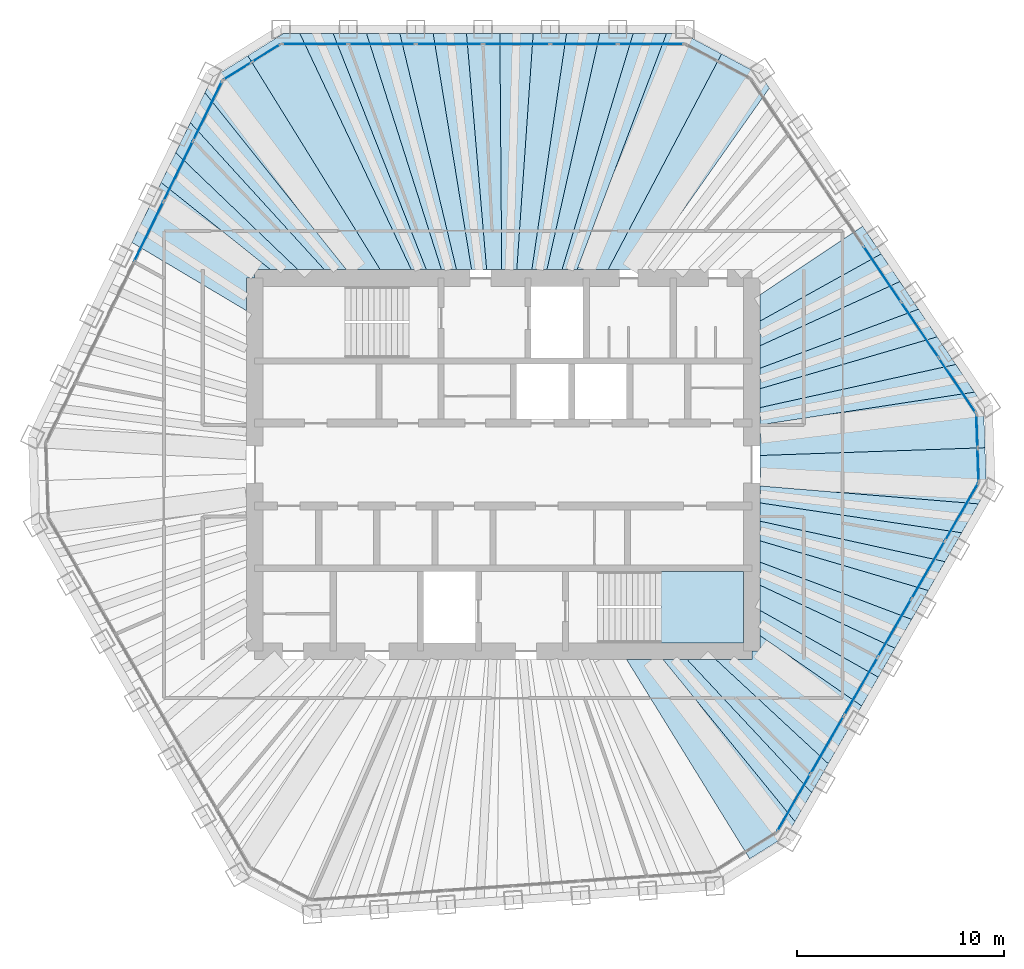
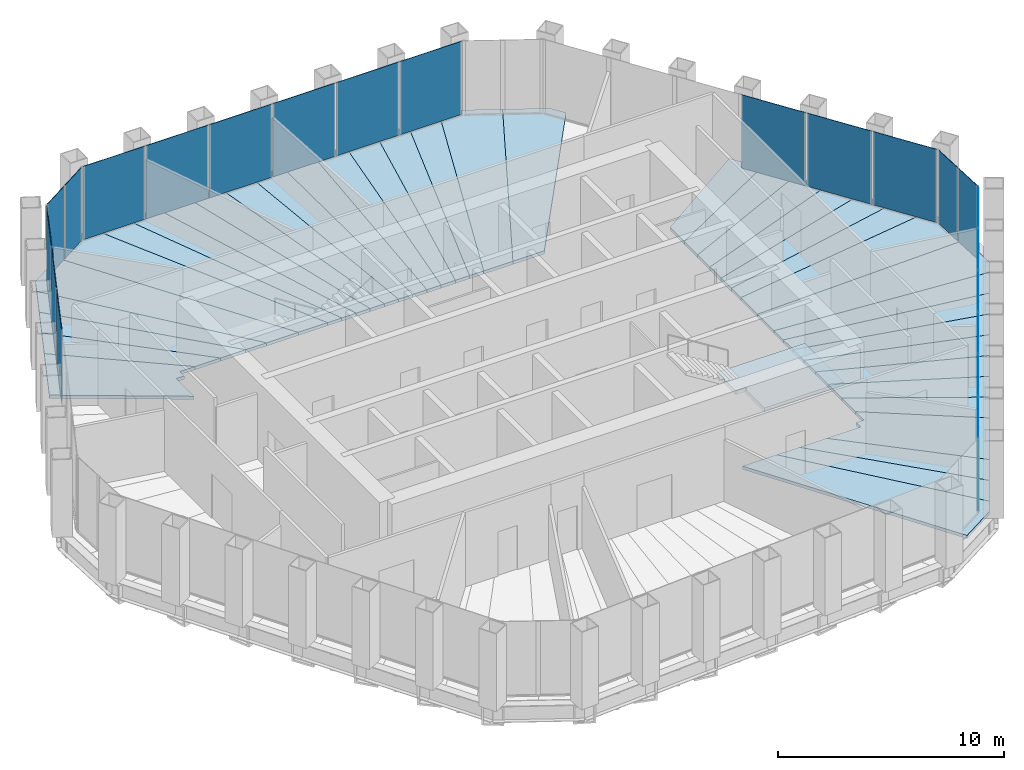
# One storey, part 10 of 14: 39 slabs, 22 plates, 7 elements without a shape of their own.
"""IFC4 building model written with IfcOpenShell, lengths in metres."""

import ifcopenshell
import ifcopenshell.guid

model = None  # the IFC model being written
_history = None  # IfcOwnerHistory: only IFC2X3 demands one
_inside = {}  # id of a spatial element -> (the spatial element, [elements in it])
_under = {}  # id of a project, library or spatial element -> (it, [spatial elements below it])
_declared = {}  # id of a project -> (the project, [libraries it declares])
_typed = {}  # id of a type object -> (the type object, [elements of that type])
_made_of = {}  # id of a material, layer set ... -> (it, [elements and type objects made of it])


def new_model(schema):
    """Start an empty IFC model of exactly this schema.

    Asked for "IFC4X3", IfcOpenShell would pick the latest addendum, in which some entities
    have other attributes; the version numbers below select the first issue.
    IFC2X3 requires an IfcOwnerHistory on every rooted entity: one is made here for all.
    """
    global model, _history
    if schema == "IFC4X3":
        model = ifcopenshell.file(schema_version=(4, 3, 0, 0))
    else:
        model = ifcopenshell.file(schema=schema)
    _inside.clear()
    _under.clear()
    _declared.clear()
    _typed.clear()
    _made_of.clear()
    _history = None
    if model.schema == "IFC2X3":
        org = make("IfcOrganization", Name="unknown")
        user = make(
            "IfcPersonAndOrganization",
            ThePerson=make("IfcPerson", FamilyName="unknown"),
            TheOrganization=org,
        )
        app = make(
            "IfcApplication",
            ApplicationDeveloper=org,
            Version="unknown",
            ApplicationFullName="unknown",
            ApplicationIdentifier="unknown",
        )
        _history = make(
            "IfcOwnerHistory",
            OwningUser=user,
            OwningApplication=app,
            ChangeAction="ADDED",
            CreationDate=0,
        )
    return model


def make(cls, **values):
    """One entity of the class cls with the attributes given. An attribute that is None is left unset."""
    return model.create_entity(
        cls, **{name: value for name, value in values.items() if value is not None}
    )


def rooted(cls, **values):
    """An entity with a GlobalId (a new one), such as an element, a storey or a relation."""
    return make(cls, GlobalId=ifcopenshell.guid.new(), OwnerHistory=_history, **values)


def si_unit(unit_type, name, prefix=None):
    """IfcSIUnit, for example si_unit("LENGTHUNIT", "METRE", prefix="MILLI")."""
    return make("IfcSIUnit", UnitType=unit_type, Prefix=prefix, Name=name)


def assignment(units):
    """IfcUnitAssignment: the units of a project."""
    return None if units is None else make("IfcUnitAssignment", Units=units)


def point(xyz):
    """IfcCartesianPoint."""
    return None if xyz is None else make("IfcCartesianPoint", Coordinates=xyz)


def direction(xyz):
    """IfcDirection."""
    return None if xyz is None else make("IfcDirection", DirectionRatios=xyz)


def frame(location, z_axis=None, x_axis=None):
    """IfcAxis2Placement3D, a coordinate frame: its origin and axes. An axis left out is left unset."""
    return make(
        "IfcAxis2Placement3D",
        Location=point(location),
        Axis=direction(z_axis),
        RefDirection=direction(x_axis),
    )


def frame_2d(location, x_axis=None):
    """IfcAxis2Placement2D, a coordinate frame in the plane: its origin and x axis."""
    return make(
        "IfcAxis2Placement2D", Location=point(location), RefDirection=direction(x_axis)
    )


def origin():
    """The frame at (0, 0, 0) with its axes left unset."""
    return frame((0.0, 0.0, 0.0))


def origin_2d():
    """The frame at (0, 0) in the plane with its x axis left unset."""
    return frame_2d((0.0, 0.0))


def place(relative_to, where):
    """IfcLocalPlacement: puts the frame where relative to a parent placement (None: the world)."""
    return make(
        "IfcLocalPlacement", PlacementRelTo=relative_to, RelativePlacement=where
    )


def context(
    kind, dimensions, precision=None, world=None, true_north=None, identifier=None
):
    """IfcGeometricRepresentationContext, for example the 3D "Model" context."""
    return make(
        "IfcGeometricRepresentationContext",
        ContextIdentifier=identifier,
        ContextType=kind,
        CoordinateSpaceDimension=dimensions,
        Precision=precision,
        WorldCoordinateSystem=world,
        TrueNorth=true_north,
    )


def subcontext(parent, identifier, kind, view, scale=None):
    """IfcGeometricRepresentationSubContext, for example "Body" below "Model"."""
    return make(
        "IfcGeometricRepresentationSubContext",
        ContextIdentifier=identifier,
        ContextType=kind,
        ParentContext=parent,
        TargetScale=scale,
        TargetView=view,
    )


def project(units=None, contexts=None):
    """IfcProject with its units and contexts."""
    return rooted(
        "IfcProject",
        Name="project",
        RepresentationContexts=contexts,
        UnitsInContext=assignment(units),
    )


def spatial(cls, under=None, at=None, **own):
    """A site, building, storey or space (cls), placed at a placement, below another one or the project."""
    s = rooted(cls, ObjectPlacement=at, **own)
    if under is not None:
        _under.setdefault(under.id(), (under, []))[1].append(s)
    return s


def polyline(points):
    """IfcPolyline through the points."""
    return make("IfcPolyline", Points=[point(p) for p in points])


def profile(cls, at=None, kind="AREA", **sizes):
    """A parametric profile (cls). Its sizes go by their IFC names, for example OverallWidth=200.0."""
    return make(cls, ProfileType=kind, Position=at, **sizes)


def rectangle(**sizes):
    """IfcRectangleProfileDef."""
    return profile("IfcRectangleProfileDef", **sizes)


def outline(outer, holes=None, kind="AREA"):
    """IfcArbitraryClosedProfileDef: a profile drawn as a closed curve; with holes, ...WithVoids."""
    if holes is None:
        return make("IfcArbitraryClosedProfileDef", ProfileType=kind, OuterCurve=outer)
    return make(
        "IfcArbitraryProfileDefWithVoids",
        ProfileType=kind,
        OuterCurve=outer,
        InnerCurves=holes,
    )


def extrude(swept, where, along, depth):
    """IfcExtrudedAreaSolid: the profile swept, set in the frame where, extruded along a direction by depth."""
    return make(
        "IfcExtrudedAreaSolid",
        SweptArea=swept,
        Position=where,
        ExtrudedDirection=direction(along),
        Depth=depth,
    )


def shape(context_of_items, identifier, shape_type, items):
    """IfcShapeRepresentation: the items that make up one representation, for example the "Body"."""
    return make(
        "IfcShapeRepresentation",
        ContextOfItems=context_of_items,
        RepresentationIdentifier=identifier,
        RepresentationType=shape_type,
        Items=items,
    )


def material(Name=None, Category=None):
    """IfcMaterial."""
    return make("IfcMaterial", Name=Name, Category=Category)


def layer(
    of_material, thickness, ventilated=None, Name=None, Category=None, Priority=None
):
    """IfcMaterialLayer: one layer of a wall or slab, of a material (None: an air gap)."""
    return make(
        "IfcMaterialLayer",
        Material=of_material,
        LayerThickness=thickness,
        IsVentilated=ventilated,
        Name=Name,
        Category=Category,
        Priority=Priority,
    )


def layer_set(layers, Name=None):
    """IfcMaterialLayerSet."""
    return make("IfcMaterialLayerSet", MaterialLayers=layers, LayerSetName=Name)


def made_of(thing, what):
    """Note that an element or type object is made of a material, layer set ...; save() writes the relation."""
    if what is not None:
        _made_of.setdefault(what.id(), (what, []))[1].append(thing)
    return thing


def type_object(cls, material=None, **own):
    """A type object (cls), such as IfcWallType, which elements share."""
    return made_of(rooted(cls, **own), material)


def element(
    cls,
    number,
    at=None,
    inside=None,
    cuts=None,
    type_object=None,
    material=None,
    context=None,
    identifier="Body",
    shape_type=None,
    held_by="IfcProductDefinitionShape",
    body=None,
    shapes=None,
    **own,
):
    """One element of the class cls, such as IfcWall. Its Tag is "e" and its number.

    at: its placement. inside: the storey or other place that contains it. cuts: it is an
    opening in that element (IfcRelVoidsElement). A single representation is given by context,
    identifier, shape_type and body (its items); several are given by shapes. held_by: the class
    of the entity that holds the representations. save() writes the other relations.
    """
    e = rooted(cls, Tag="e%d" % number, ObjectPlacement=at, **own)
    if body is not None:
        shapes = [shape(context, identifier, shape_type, body)]
    if shapes is not None:
        e.Representation = make(held_by, Representations=shapes)
    if inside is not None:
        _inside.setdefault(inside.id(), (inside, []))[1].append(e)
    if cuts is not None:
        rooted(
            "IfcRelVoidsElement", RelatingBuildingElement=cuts, RelatedOpeningElement=e
        )
    if type_object is not None:
        _typed.setdefault(type_object.id(), (type_object, []))[1].append(e)
    return made_of(e, material)


def aggregate(whole, parts):
    """IfcRelAggregates: a whole, such as a stair, and the parts it consists of."""
    return rooted("IfcRelAggregates", RelatingObject=whole, RelatedObjects=parts)


def save(model, path):
    """Write the relations noted so far, then the file.

    IfcRelAggregates (storeys below a building ...), IfcRelContainedInSpatialStructure (elements
    in a storey), IfcRelDefinesByType, IfcRelAssociatesMaterial and IfcRelDeclares: one each for
    every whole, place, type object, material and project.
    """
    for whole, parts in _under.values():
        aggregate(whole, parts)
    for where, things in _inside.values():
        rooted(
            "IfcRelContainedInSpatialStructure",
            RelatedElements=things,
            RelatingStructure=where,
        )
    for kind, things in _typed.values():
        rooted("IfcRelDefinesByType", RelatedObjects=things, RelatingType=kind)
    for what, things in _made_of.values():
        rooted("IfcRelAssociatesMaterial", RelatedObjects=things, RelatingMaterial=what)
    for by, libraries in _declared.values():
        rooted("IfcRelDeclares", RelatingContext=by, RelatedDefinitions=libraries)
    model.write(path)


model = new_model("IFC4")

# Units and contexts
model_context = context("Model", 3, precision=1e-05, world=origin(), true_north=direction((0.0, 1.0)))
body_context = subcontext(model_context, "Body", "Model", "MODEL_VIEW")
ifc_project = project(units=[si_unit("LENGTHUNIT", "METRE"), si_unit("AREAUNIT", "SQUARE_METRE"), si_unit("VOLUMEUNIT", "CUBIC_METRE"), si_unit("PLANEANGLEUNIT", "RADIAN"), si_unit("MASSUNIT", "GRAM", prefix="KILO")], contexts=[model_context])

# Site, building, storey
site_placement = place(None, origin())
site = spatial("IfcSite", under=ifc_project, at=site_placement, CompositionType="ELEMENT")
building_placement = place(site_placement, origin())
building = spatial("IfcBuilding", under=site, at=building_placement, Name="Qingtian Harvest Tower", CompositionType="ELEMENT")
storey_placement = place(building_placement, frame((0.0, 0.0, 304.0)))
storey = spatial("IfcBuildingStorey", under=building, at=storey_placement, Name="L67", CompositionType="ELEMENT", Elevation=304.0)

# Slabs
ifc_material_1 = material(Name="Concrete fc' 35 MPa", Category="concrete")
ifc_layer_1 = layer(ifc_material_1, 0.169921875)
ifc_layer_set_1 = layer_set([ifc_layer_1], Name="Composite floor slab FS17 170")
slab_type_1 = type_object("IfcSlabType", Name="Composite floor slab FS17 170", PredefinedType="FLOOR", material=ifc_layer_set_1)
slab_1_placement = place(storey_placement, frame((0.0, 0.0, -0.169921875)))
element("IfcSlab", 1, at=slab_1_placement, inside=storey, type_object=slab_type_1, Name="Floor slab L67 panel D27", PredefinedType="FLOOR", context=body_context, shape_type="SweptSolid", body=[
    extrude(outline(polyline([(5.945556640625, -9.39990234375), (7.703125, -9.39990234375), (14.077880859375, -17.2265625), (13.6865234375, -17.904296875), (11.890380859375, -19.026611328125), (5.945556640625, -9.39990234375)])), origin(), (0.0, 0.0, 1.0), 0.169921875),
])
slab_2_placement = place(storey_placement, frame((0.0, 0.0, -0.169921875)))
element("IfcSlab", 2, at=slab_2_placement, inside=storey, type_object=slab_type_1, Name="Floor slab L67 panel D28", PredefinedType="FLOOR", context=body_context, shape_type="SweptSolid", body=[
    extrude(outline(polyline([(8.86279296875, -9.39990234375), (14.88232421875, -15.8330078125), (14.077880859375, -17.2265625), (7.703125, -9.39990234375), (8.86279296875, -9.39990234375)])), origin(), (0.0, 0.0, 1.0), 0.169921875),
])
slab_3_placement = place(storey_placement, frame((0.0, 0.0, -0.169921875)))
element("IfcSlab", 3, at=slab_3_placement, inside=storey, type_object=slab_type_1, Name="Floor slab L67 panel D29", PredefinedType="FLOOR", context=body_context, shape_type="SweptSolid", body=[
    extrude(outline(polyline([(10.248046875, -9.39990234375), (15.68701171875, -14.439453125), (14.88232421875, -15.8330078125), (8.86279296875, -9.39990234375), (10.248046875, -9.39990234375)])), origin(), (0.0, 0.0, 1.0), 0.169921875),
])
slab_4_placement = place(storey_placement, frame((0.0, 0.0, -0.169921875)))
element("IfcSlab", 4, at=slab_4_placement, inside=storey, type_object=slab_type_1, Name="Floor slab L67 panel D31", PredefinedType="FLOOR", context=body_context, shape_type="SweptSolid", body=[
    extrude(outline(polyline([(12.39990234375, -8.263427734375), (17.296630859375, -11.651123046875), (15.68701171875, -14.439453125), (10.248046875, -9.39990234375), (12.0, -9.39990234375), (12.0, -9.0), (12.39990234375, -9.0), (12.39990234375, -8.263427734375)])), origin(), (0.0, 0.0, 1.0), 0.169921875),
])
slab_5_placement = place(storey_placement, frame((0.0, 0.0, -0.169921875)))
element("IfcSlab", 5, at=slab_5_placement, inside=storey, type_object=slab_type_1, Name="Floor slab L67 panel D32", PredefinedType="FLOOR", context=body_context, shape_type="SweptSolid", body=[
    extrude(outline(polyline([(12.39990234375, -7.04296875), (18.099853515625, -10.26025390625), (17.296630859375, -11.651123046875), (12.39990234375, -8.263427734375), (12.39990234375, -7.04296875)])), origin(), (0.0, 0.0, 1.0), 0.169921875),
])
slab_6_placement = place(storey_placement, frame((0.0, 0.0, -0.169921875)))
element("IfcSlab", 6, at=slab_6_placement, inside=storey, type_object=slab_type_1, Name="Floor slab L67 panel D33", PredefinedType="FLOOR", context=body_context, shape_type="SweptSolid", body=[
    extrude(outline(polyline([(12.39990234375, -5.828125), (18.904296875, -8.86669921875), (18.099853515625, -10.26025390625), (12.39990234375, -7.04296875), (12.39990234375, -5.828125)])), origin(), (0.0, 0.0, 1.0), 0.169921875),
])
slab_7_placement = place(storey_placement, frame((0.0, 0.0, -0.169921875)))
element("IfcSlab", 7, at=slab_7_placement, inside=storey, type_object=slab_type_1, Name="Floor slab L67 panel D34", PredefinedType="FLOOR", context=body_context, shape_type="SweptSolid", body=[
    extrude(outline(polyline([(12.39990234375, -4.712646484375), (19.708740234375, -7.473388671875), (18.904296875, -8.86669921875), (12.39990234375, -5.828125), (12.39990234375, -4.712646484375)])), origin(), (0.0, 0.0, 1.0), 0.169921875),
])
slab_8_placement = place(storey_placement, frame((0.0, 0.0, -0.169921875)))
element("IfcSlab", 8, at=slab_8_placement, inside=storey, type_object=slab_type_1, Name="Floor slab L67 panel D35", PredefinedType="FLOOR", context=body_context, shape_type="SweptSolid", body=[
    extrude(outline(polyline([(12.39990234375, -3.684814453125), (20.51318359375, -6.080078125), (19.708740234375, -7.473388671875), (12.39990234375, -4.712646484375), (12.39990234375, -3.684814453125)])), origin(), (0.0, 0.0, 1.0), 0.169921875),
])
slab_9_placement = place(storey_placement, frame((0.0, 0.0, -0.169921875)))
element("IfcSlab", 9, at=slab_9_placement, inside=storey, type_object=slab_type_1, Name="Floor slab L67 panel D36", PredefinedType="FLOOR", context=body_context, shape_type="SweptSolid", body=[
    extrude(outline(polyline([(12.39990234375, -2.734619140625), (21.317626953125, -4.6865234375), (20.51318359375, -6.080078125), (12.39990234375, -3.684814453125), (12.39990234375, -2.734619140625)])), origin(), (0.0, 0.0, 1.0), 0.169921875),
])
slab_10_placement = place(storey_placement, frame((0.0, 0.0, -0.169921875)))
element("IfcSlab", 10, at=slab_10_placement, inside=storey, type_object=slab_type_1, Name="Floor slab L67 panel D37", PredefinedType="FLOOR", context=body_context, shape_type="SweptSolid", body=[
    extrude(outline(polyline([(12.39990234375, -1.853515625), (22.122314453125, -3.293212890625), (21.317626953125, -4.6865234375), (12.39990234375, -2.734619140625), (12.39990234375, -1.853515625)])), origin(), (0.0, 0.0, 1.0), 0.169921875),
])
slab_11_placement = place(storey_placement, frame((0.0, 0.0, -0.169921875)))
element("IfcSlab", 11, at=slab_11_placement, inside=storey, type_object=slab_type_1, Name="Floor slab L67 panel D38", PredefinedType="FLOOR", context=body_context, shape_type="SweptSolid", body=[
    extrude(outline(polyline([(12.39990234375, -1.034423828125), (22.9267578125, -1.89990234375), (22.122314453125, -3.293212890625), (12.39990234375, -1.853515625), (12.39990234375, -1.034423828125)])), origin(), (0.0, 0.0, 1.0), 0.169921875),
])
slab_12_placement = place(storey_placement, frame((0.0, 0.0, -0.169921875)))
element("IfcSlab", 12, at=slab_12_placement, inside=storey, type_object=slab_type_1, Name="Floor slab L67 panel D39", PredefinedType="FLOOR", context=body_context, shape_type="SweptSolid", body=[
    extrude(outline(polyline([(12.39990234375, -1.034423828125), (12.39990234375, 0.436279296875), (23.246826171875, 0.811767578125), (23.31787109375, -1.22216796875), (22.9267578125, -1.89990234375), (12.39990234375, -1.034423828125)])), origin(), (0.0, 0.0, 1.0), 0.169921875),
])
slab_13_placement = place(storey_placement, frame((0.0, 0.0, -0.169921875)))
element("IfcSlab", 13, at=slab_13_placement, inside=storey, type_object=slab_type_1, Name="Floor slab L67 panel D40", PredefinedType="FLOOR", context=body_context, shape_type="SweptSolid", body=[
    extrude(outline(polyline([(12.39990234375, 0.436279296875), (12.39990234375, 1.91357421875), (22.73828125, 3.494384765625), (23.17578125, 2.845947265625), (23.246826171875, 0.811767578125), (12.39990234375, 0.436279296875)])), origin(), (0.0, 0.0, 1.0), 0.169921875),
])
slab_14_placement = place(storey_placement, frame((0.0, 0.0, -0.169921875)))
element("IfcSlab", 14, at=slab_14_placement, inside=storey, type_object=slab_type_1, Name="Floor slab L67 panel D41", PredefinedType="FLOOR", context=body_context, shape_type="SweptSolid", body=[
    extrude(outline(polyline([(12.39990234375, 2.75048828125), (21.838623046875, 4.828369140625), (22.73828125, 3.494384765625), (12.39990234375, 1.91357421875), (12.39990234375, 2.75048828125)])), origin(), (0.0, 0.0, 1.0), 0.169921875),
])
slab_15_placement = place(storey_placement, frame((0.0, 0.0, -0.169921875)))
element("IfcSlab", 15, at=slab_15_placement, inside=storey, type_object=slab_type_1, Name="Floor slab L67 panel D42", PredefinedType="FLOOR", context=body_context, shape_type="SweptSolid", body=[
    extrude(outline(polyline([(12.39990234375, 3.659423828125), (20.93896484375, 6.162353515625), (21.838623046875, 4.828369140625), (12.39990234375, 2.75048828125), (12.39990234375, 3.659423828125)])), origin(), (0.0, 0.0, 1.0), 0.169921875),
])
slab_16_placement = place(storey_placement, frame((0.0, 0.0, -0.169921875)))
element("IfcSlab", 16, at=slab_16_placement, inside=storey, type_object=slab_type_1, Name="Floor slab L67 panel D43", PredefinedType="FLOOR", context=body_context, shape_type="SweptSolid", body=[
    extrude(outline(polyline([(12.39990234375, 4.64990234375), (20.0390625, 7.49609375), (20.93896484375, 6.162353515625), (12.39990234375, 3.659423828125), (12.39990234375, 4.64990234375)])), origin(), (0.0, 0.0, 1.0), 0.169921875),
])
slab_17_placement = place(storey_placement, frame((0.0, 0.0, -0.169921875)))
element("IfcSlab", 17, at=slab_17_placement, inside=storey, type_object=slab_type_1, Name="Floor slab L67 panel D44", PredefinedType="FLOOR", context=body_context, shape_type="SweptSolid", body=[
    extrude(outline(polyline([(12.39990234375, 5.73388671875), (19.139404296875, 8.830078125), (20.0390625, 7.49609375), (12.39990234375, 4.64990234375), (12.39990234375, 5.73388671875)])), origin(), (0.0, 0.0, 1.0), 0.169921875),
])
slab_18_placement = place(storey_placement, frame((0.0, 0.0, -0.169921875)))
element("IfcSlab", 18, at=slab_18_placement, inside=storey, type_object=slab_type_1, Name="Floor slab L67 panel D45", PredefinedType="FLOOR", context=body_context, shape_type="SweptSolid", body=[
    extrude(outline(polyline([(12.39990234375, 6.925048828125), (18.23974609375, 10.1640625), (19.139404296875, 8.830078125), (12.39990234375, 5.73388671875), (12.39990234375, 6.925048828125)])), origin(), (0.0, 0.0, 1.0), 0.169921875),
])
slab_19_placement = place(storey_placement, frame((0.0, 0.0, -0.169921875)))
element("IfcSlab", 19, at=slab_19_placement, inside=storey, type_object=slab_type_1, Name="Floor slab L67 panel D46", PredefinedType="FLOOR", context=body_context, shape_type="SweptSolid", body=[
    extrude(outline(polyline([(12.39990234375, 8.199462890625), (17.340576171875, 11.4970703125), (18.23974609375, 10.1640625), (12.39990234375, 6.925048828125), (12.39990234375, 8.199462890625)])), origin(), (0.0, 0.0, 1.0), 0.169921875),
])
slab_20_placement = place(storey_placement, frame((0.0, 0.0, -0.169921875)))
element("IfcSlab", 20, at=slab_20_placement, inside=storey, type_object=slab_type_1, Name="Floor slab L67 panel D52", PredefinedType="FLOOR", context=body_context, shape_type="SweptSolid", body=[
    extrude(outline(polyline([(6.662109375, 9.39990234375), (5.05419921875, 9.39990234375), (10.533935546875, 19.809814453125), (12.404296875, 18.8154296875), (12.841796875, 18.16650390625), (6.662109375, 9.39990234375)])), origin(), (0.0, 0.0, 1.0), 0.169921875),
])
slab_21_placement = place(storey_placement, frame((0.0, 0.0, -0.169921875)))
element("IfcSlab", 21, at=slab_21_placement, inside=storey, type_object=slab_type_1, Name="Floor slab L67 panel D53", PredefinedType="FLOOR", context=body_context, shape_type="SweptSolid", body=[
    extrude(outline(polyline([(3.560302734375, 9.39990234375), (7.880126953125, 20.804931640625), (8.662109375, 20.804931640625), (10.533935546875, 19.809814453125), (5.05419921875, 9.39990234375), (3.560302734375, 9.39990234375)])), origin(), (0.0, 0.0, 1.0), 0.169921875),
])
slab_22_placement = place(storey_placement, frame((0.0, 0.0, -0.169921875)))
element("IfcSlab", 22, at=slab_22_placement, inside=storey, type_object=slab_type_1, Name="Floor slab L67 panel D54", PredefinedType="FLOOR", context=body_context, shape_type="SweptSolid", body=[
    extrude(outline(polyline([(2.833251953125, 9.39990234375), (6.27099609375, 20.804931640625), (7.880126953125, 20.804931640625), (3.560302734375, 9.39990234375), (2.833251953125, 9.39990234375)])), origin(), (0.0, 0.0, 1.0), 0.169921875),
])
slab_23_placement = place(storey_placement, frame((0.0, 0.0, -0.169921875)))
element("IfcSlab", 23, at=slab_23_placement, inside=storey, type_object=slab_type_1, Name="Floor slab L67 panel D55", PredefinedType="FLOOR", context=body_context, shape_type="SweptSolid", body=[
    extrude(outline(polyline([(2.1064453125, 9.39990234375), (4.662109375, 20.804931640625), (6.27099609375, 20.804931640625), (2.833251953125, 9.39990234375), (2.1064453125, 9.39990234375)])), origin(), (0.0, 0.0, 1.0), 0.169921875),
])
slab_24_placement = place(storey_placement, frame((0.0, 0.0, -0.169921875)))
element("IfcSlab", 24, at=slab_24_placement, inside=storey, type_object=slab_type_1, Name="Floor slab L67 panel D56", PredefinedType="FLOOR", context=body_context, shape_type="SweptSolid", body=[
    extrude(outline(polyline([(1.37939453125, 9.39990234375), (3.05322265625, 20.804931640625), (4.662109375, 20.804931640625), (2.1064453125, 9.39990234375), (1.37939453125, 9.39990234375)])), origin(), (0.0, 0.0, 1.0), 0.169921875),
])
slab_25_placement = place(storey_placement, frame((0.0, 0.0, -0.169921875)))
element("IfcSlab", 25, at=slab_25_placement, inside=storey, type_object=slab_type_1, Name="Floor slab L67 panel D57", PredefinedType="FLOOR", context=body_context, shape_type="SweptSolid", body=[
    extrude(outline(polyline([(0.652587890625, 9.39990234375), (1.4443359375, 20.804931640625), (3.05322265625, 20.804931640625), (1.37939453125, 9.39990234375), (0.652587890625, 9.39990234375)])), origin(), (0.0, 0.0, 1.0), 0.169921875),
])
slab_26_placement = place(storey_placement, frame((0.0, 0.0, -0.169921875)))
element("IfcSlab", 26, at=slab_26_placement, inside=storey, type_object=slab_type_1, Name="Floor slab L67 panel D58", PredefinedType="FLOOR", context=body_context, shape_type="SweptSolid", body=[
    extrude(outline(polyline([(-0.074462890625, 9.39990234375), (-0.16455078125, 20.804931640625), (1.4443359375, 20.804931640625), (0.652587890625, 9.39990234375), (-0.074462890625, 9.39990234375)])), origin(), (0.0, 0.0, 1.0), 0.169921875),
])
slab_27_placement = place(storey_placement, frame((0.0, 0.0, -0.169921875)))
element("IfcSlab", 27, at=slab_27_placement, inside=storey, type_object=slab_type_1, Name="Floor slab L67 panel D59", PredefinedType="FLOOR", context=body_context, shape_type="SweptSolid", body=[
    extrude(outline(polyline([(-0.80126953125, 9.39990234375), (-1.773681640625, 20.804931640625), (-0.16455078125, 20.804931640625), (-0.074462890625, 9.39990234375), (-0.80126953125, 9.39990234375)])), origin(), (0.0, 0.0, 1.0), 0.169921875),
])
slab_28_placement = place(storey_placement, frame((0.0, 0.0, -0.169921875)))
element("IfcSlab", 28, at=slab_28_placement, inside=storey, type_object=slab_type_1, Name="Floor slab L67 panel D60", PredefinedType="FLOOR", context=body_context, shape_type="SweptSolid", body=[
    extrude(outline(polyline([(-1.5283203125, 9.39990234375), (-3.382568359375, 20.804931640625), (-1.773681640625, 20.804931640625), (-0.80126953125, 9.39990234375), (-1.5283203125, 9.39990234375)])), origin(), (0.0, 0.0, 1.0), 0.169921875),
])
slab_29_placement = place(storey_placement, frame((0.0, 0.0, -0.169921875)))
element("IfcSlab", 29, at=slab_29_placement, inside=storey, type_object=slab_type_1, Name="Floor slab L67 panel D61", PredefinedType="FLOOR", context=body_context, shape_type="SweptSolid", body=[
    extrude(outline(polyline([(-2.255126953125, 9.39990234375), (-4.991455078125, 20.804931640625), (-3.382568359375, 20.804931640625), (-1.5283203125, 9.39990234375), (-2.255126953125, 9.39990234375)])), origin(), (0.0, 0.0, 1.0), 0.169921875),
])
slab_30_placement = place(storey_placement, frame((0.0, 0.0, -0.169921875)))
element("IfcSlab", 30, at=slab_30_placement, inside=storey, type_object=slab_type_1, Name="Floor slab L67 panel D62", PredefinedType="FLOOR", context=body_context, shape_type="SweptSolid", body=[
    extrude(outline(polyline([(-2.982177734375, 9.39990234375), (-6.600341796875, 20.804931640625), (-4.991455078125, 20.804931640625), (-2.255126953125, 9.39990234375), (-2.982177734375, 9.39990234375)])), origin(), (0.0, 0.0, 1.0), 0.169921875),
])
slab_31_placement = place(storey_placement, frame((0.0, 0.0, -0.169921875)))
element("IfcSlab", 31, at=slab_31_placement, inside=storey, type_object=slab_type_1, Name="Floor slab L67 panel D63", PredefinedType="FLOOR", context=body_context, shape_type="SweptSolid", body=[
    extrude(outline(polyline([(-3.708984375, 9.39990234375), (-8.209228515625, 20.804931640625), (-6.600341796875, 20.804931640625), (-2.982177734375, 9.39990234375), (-3.708984375, 9.39990234375)])), origin(), (0.0, 0.0, 1.0), 0.169921875),
])
slab_32_placement = place(storey_placement, frame((0.0, 0.0, -0.169921875)))
element("IfcSlab", 32, at=slab_32_placement, inside=storey, type_object=slab_type_1, Name="Floor slab L67 panel D64", PredefinedType="FLOOR", context=body_context, shape_type="SweptSolid", body=[
    extrude(outline(polyline([(-4.43603515625, 9.39990234375), (-9.818115234375, 20.804931640625), (-8.209228515625, 20.804931640625), (-3.708984375, 9.39990234375), (-4.43603515625, 9.39990234375)])), origin(), (0.0, 0.0, 1.0), 0.169921875),
])
slab_33_placement = place(storey_placement, frame((0.0, 0.0, -0.169921875)))
element("IfcSlab", 33, at=slab_33_placement, inside=storey, type_object=slab_type_1, Name="Floor slab L67 panel D65", PredefinedType="FLOOR", context=body_context, shape_type="SweptSolid", body=[
    extrude(outline(polyline([(-4.43603515625, 9.39990234375), (-5.935302734375, 9.39990234375), (-12.327392578125, 19.725830078125), (-10.600341796875, 20.804931640625), (-9.818115234375, 20.804931640625), (-4.43603515625, 9.39990234375)])), origin(), (0.0, 0.0, 1.0), 0.169921875),
])
slab_34_placement = place(storey_placement, frame((0.0, 0.0, -0.169921875)))
element("IfcSlab", 34, at=slab_34_placement, inside=storey, type_object=slab_type_1, Name="Floor slab L67 panel D66", PredefinedType="FLOOR", context=body_context, shape_type="SweptSolid", body=[
    extrude(outline(polyline([(-5.935302734375, 9.39990234375), (-7.560302734375, 9.39990234375), (-14.3955078125, 17.944580078125), (-14.052490234375, 18.64794921875), (-12.327392578125, 19.725830078125), (-5.935302734375, 9.39990234375)])), origin(), (0.0, 0.0, 1.0), 0.169921875),
])
slab_35_placement = place(storey_placement, frame((0.0, 0.0, -0.169921875)))
element("IfcSlab", 35, at=slab_35_placement, inside=storey, type_object=slab_type_1, Name="Floor slab L67 panel D67", PredefinedType="FLOOR", context=body_context, shape_type="SweptSolid", body=[
    extrude(outline(polyline([(-8.62890625, 9.39990234375), (-15.100830078125, 16.498291015625), (-14.3955078125, 17.944580078125), (-7.560302734375, 9.39990234375), (-8.62890625, 9.39990234375)])), origin(), (0.0, 0.0, 1.0), 0.169921875),
])
slab_36_placement = place(storey_placement, frame((0.0, 0.0, -0.169921875)))
element("IfcSlab", 36, at=slab_36_placement, inside=storey, type_object=slab_type_1, Name="Floor slab L67 panel D68", PredefinedType="FLOOR", context=body_context, shape_type="SweptSolid", body=[
    extrude(outline(polyline([(-9.90380859375, 9.39990234375), (-15.80615234375, 15.05224609375), (-15.100830078125, 16.498291015625), (-8.62890625, 9.39990234375), (-9.90380859375, 9.39990234375)])), origin(), (0.0, 0.0, 1.0), 0.169921875),
])
slab_37_placement = place(storey_placement, frame((0.0, 0.0, -0.169921875)))
element("IfcSlab", 37, at=slab_37_placement, inside=storey, type_object=slab_type_1, Name="Floor slab L67 panel D69", PredefinedType="FLOOR", context=body_context, shape_type="SweptSolid", body=[
    extrude(outline(polyline([(-11.224853515625, 9.39990234375), (-16.509765625, 13.609619140625), (-15.80615234375, 15.05224609375), (-9.90380859375, 9.39990234375), (-11.224853515625, 9.39990234375)])), origin(), (0.0, 0.0, 1.0), 0.169921875),
])
slab_38_placement = place(storey_placement, frame((0.0, 0.0, -0.169921875)))
element("IfcSlab", 38, at=slab_38_placement, inside=storey, type_object=slab_type_1, Name="Floor slab L67 panel D70", PredefinedType="FLOOR", context=body_context, shape_type="SweptSolid", body=[
    extrude(outline(polyline([(-12.0, 9.0), (-12.39990234375, 9.0), (-12.39990234375, 7.42578125), (-17.921875, 10.714599609375), (-16.509765625, 13.609619140625), (-11.224853515625, 9.39990234375), (-12.0, 9.39990234375), (-12.0, 9.0)])), origin(), (0.0, 0.0, 1.0), 0.169921875),
])

# Curtain wall, plates
ifc_material_2 = material(Name="Bronze-anodised aluminium curtain wall", Category="aluminium")
curtain_wall_type = type_object("IfcCurtainWallType", Name="Curtain wall CW5 upper office", PredefinedType="USERDEFINED", material=ifc_material_2)
curtain_wall_1_placement = place(storey_placement, origin())
curtain_wall_1 = element("IfcCurtainWall", 39, at=curtain_wall_1_placement, inside=storey, type_object=curtain_wall_type, Name="Curtain wall CW5 L67 N0-5", ObjectType="RECESSED CURTAIN WALL", PredefinedType="USERDEFINED")
ifc_material_3 = material(Name="Bronze-tinted laminated insulating glass", Category="glass")
ifc_layer_2 = layer(ifc_material_3, 0.030029296875)
ifc_layer_set_2 = layer_set([ifc_layer_2], Name="Glazed panel CWP tinted IGU")
plate_type = type_object("IfcPlateType", Name="Glazed panel CWP tinted IGU", PredefinedType="CURTAIN_PANEL", material=ifc_layer_set_2)
plate_1_placement = place(storey_placement, frame((-9.08203125, 20.300048828125, 0.06494140625), z_axis=(0.0, 0.0, 1.0), x_axis=(1.0, 0.0, 0.0)))
plate_1 = element("IfcPlate", 40, at=plate_1_placement, type_object=plate_type, Name="CW5 panel 1.1", PredefinedType="CURTAIN_PANEL", context=body_context, shape_type="SweptSolid", body=[
    extrude(rectangle(XDim=3.150634765625, YDim=0.030029296875, at=origin_2d()), origin(), (0.0, 0.0, 1.0), 3.965087890625),
])
plate_2_placement = place(storey_placement, frame((-5.85009765625, 20.300048828125, 0.06494140625), z_axis=(0.0, 0.0, 1.0), x_axis=(1.0, 0.0, 0.0)))
plate_2 = element("IfcPlate", 41, at=plate_2_placement, type_object=plate_type, Name="CW5 panel 2.1", PredefinedType="CURTAIN_PANEL", context=body_context, shape_type="SweptSolid", body=[
    extrude(rectangle(XDim=3.18310546875, YDim=0.030029296875, at=origin_2d()), origin(), (0.0, 0.0, 1.0), 3.965087890625),
])
plate_3_placement = place(storey_placement, frame((-2.602294921875, 20.300048828125, 0.06494140625), z_axis=(0.0, 0.0, 1.0), x_axis=(1.0, 0.0, 0.0)))
plate_3 = element("IfcPlate", 42, at=plate_3_placement, type_object=plate_type, Name="CW5 panel 3.1", PredefinedType="CURTAIN_PANEL", context=body_context, shape_type="SweptSolid", body=[
    extrude(rectangle(XDim=3.18310546875, YDim=0.030029296875, at=origin_2d()), origin(), (0.0, 0.0, 1.0), 3.965087890625),
])
plate_4_placement = place(storey_placement, frame((0.645751953125, 20.300048828125, 0.06494140625), z_axis=(0.0, 0.0, 1.0), x_axis=(1.0, 0.0, 0.0)))
plate_4 = element("IfcPlate", 43, at=plate_4_placement, type_object=plate_type, Name="CW5 panel 4.1", PredefinedType="CURTAIN_PANEL", context=body_context, shape_type="SweptSolid", body=[
    extrude(rectangle(XDim=3.18310546875, YDim=0.030029296875, at=origin_2d()), origin(), (0.0, 0.0, 1.0), 3.965087890625),
])
plate_5_placement = place(storey_placement, frame((3.893798828125, 20.300048828125, 0.06494140625), z_axis=(0.0, 0.0, 1.0), x_axis=(1.0, 0.0, 0.0)))
plate_5 = element("IfcPlate", 44, at=plate_5_placement, type_object=plate_type, Name="CW5 panel 5.1", PredefinedType="CURTAIN_PANEL", context=body_context, shape_type="SweptSolid", body=[
    extrude(rectangle(XDim=3.18310546875, YDim=0.030029296875, at=origin_2d()), origin(), (0.0, 0.0, 1.0), 3.965087890625),
])
plate_6_placement = place(storey_placement, frame((7.125732421875, 20.300048828125, 0.06494140625), z_axis=(0.0, 0.0, 1.0), x_axis=(1.0, 0.0, 0.0)))
plate_6 = element("IfcPlate", 45, at=plate_6_placement, type_object=plate_type, Name="CW5 panel 6.1", PredefinedType="CURTAIN_PANEL", context=body_context, shape_type="SweptSolid", body=[
    extrude(rectangle(XDim=3.150634765625, YDim=0.030029296875, at=origin_2d()), origin(), (0.0, 0.0, 1.0), 3.965087890625),
])
aggregate(curtain_wall_1, [plate_1, plate_2, plate_3, plate_4, plate_5, plate_6])

curtain_wall_2_placement = place(storey_placement, origin())
curtain_wall_2 = element("IfcCurtainWall", 46, at=curtain_wall_2_placement, inside=storey, type_object=curtain_wall_type, Name="Curtain wall CW5 L67 NE0-5", ObjectType="RECESSED CURTAIN WALL", PredefinedType="USERDEFINED")
plate_7_placement = place(storey_placement, frame((18.28466796875, 9.1943359375, 0.06494140625), z_axis=(0.0, 0.0, 1.0), x_axis=(0.559192903471, -0.829037572555, 0.0)))
plate_7 = element("IfcPlate", 47, at=plate_7_placement, type_object=plate_type, Name="CW5 panel 4.1", PredefinedType="CURTAIN_PANEL", context=body_context, shape_type="SweptSolid", body=[
    extrude(rectangle(XDim=3.18310546875, YDim=0.030029296875, at=origin_2d()), origin(), (0.0, 0.0, 1.0), 3.965087890625),
])
plate_8_placement = place(storey_placement, frame((20.100830078125, 6.50146484375, 0.06494140625), z_axis=(0.0, 0.0, 1.0), x_axis=(0.559192903471, -0.829037572555, 0.0)))
plate_8 = element("IfcPlate", 48, at=plate_8_placement, type_object=plate_type, Name="CW5 panel 5.1", PredefinedType="CURTAIN_PANEL", context=body_context, shape_type="SweptSolid", body=[
    extrude(rectangle(XDim=3.18310546875, YDim=0.030029296875, at=origin_2d()), origin(), (0.0, 0.0, 1.0), 3.965087890625),
])
plate_9_placement = place(storey_placement, frame((21.907958984375, 3.822265625, 0.06494140625), z_axis=(0.0, 0.0, 1.0), x_axis=(0.559192903471, -0.829037572555, 0.0)))
plate_9 = element("IfcPlate", 49, at=plate_9_placement, type_object=plate_type, Name="CW5 panel 6.1", PredefinedType="CURTAIN_PANEL", context=body_context, shape_type="SweptSolid", body=[
    extrude(rectangle(XDim=3.150634765625, YDim=0.030029296875, at=origin_2d()), origin(), (0.0, 0.0, 1.0), 3.965087890625),
])
aggregate(curtain_wall_2, [plate_7, plate_8, plate_9])

curtain_wall_3_placement = place(storey_placement, origin())
curtain_wall_3 = element("IfcCurtainWall", 50, at=curtain_wall_3_placement, inside=storey, type_object=curtain_wall_type, Name="Curtain wall CW5 L67 NEC", ObjectType="RECESSED CURTAIN WALL", PredefinedType="USERDEFINED")
plate_10_placement = place(storey_placement, frame((22.85498046875, 1.614501953125, 0.06494140625), z_axis=(0.0, 0.0, 1.0), x_axis=(0.034899496703, -0.999390827019, 0.0)))
plate_10 = element("IfcPlate", 51, at=plate_10_placement, type_object=plate_type, Name="CW5 panel 1.1", PredefinedType="CURTAIN_PANEL", context=body_context, shape_type="SweptSolid", body=[
    extrude(rectangle(XDim=1.56689453125, YDim=0.030029296875, at=origin_2d()), origin(), (0.0, 0.0, 1.0), 3.965087890625),
])
plate_11_placement = place(storey_placement, frame((22.911865234375, -0.016357421875, 0.06494140625), z_axis=(0.0, 0.0, 1.0), x_axis=(0.034899496703, -0.999390827019, 0.0)))
plate_11 = element("IfcPlate", 52, at=plate_11_placement, type_object=plate_type, Name="CW5 panel 2.1", PredefinedType="CURTAIN_PANEL", context=body_context, shape_type="SweptSolid", body=[
    extrude(rectangle(XDim=1.56689453125, YDim=0.030029296875, at=origin_2d()), origin(), (0.0, 0.0, 1.0), 3.965087890625),
])
aggregate(curtain_wall_3, [plate_10, plate_11])

curtain_wall_4_placement = place(storey_placement, origin())
curtain_wall_4 = element("IfcCurtainWall", 53, at=curtain_wall_4_placement, inside=storey, type_object=curtain_wall_type, Name="Curtain wall CW5 L67 SE0-5", ObjectType="RECESSED CURTAIN WALL", PredefinedType="USERDEFINED")
plate_12_placement = place(storey_placement, frame((22.121337890625, -2.28466796875, 0.06494140625), z_axis=(0.0, 0.0, 1.0), x_axis=(-0.5, -0.866025403784, 0.0)))
plate_12 = element("IfcPlate", 54, at=plate_12_placement, type_object=plate_type, Name="CW5 panel 1.1", PredefinedType="CURTAIN_PANEL", context=body_context, shape_type="SweptSolid", body=[
    extrude(rectangle(XDim=3.150634765625, YDim=0.030029296875, at=origin_2d()), origin(), (0.0, 0.0, 1.0), 3.965087890625),
])
plate_13_placement = place(storey_placement, frame((20.50537109375, -5.08349609375, 0.06494140625), z_axis=(0.0, 0.0, 1.0), x_axis=(-0.5, -0.866025403784, 0.0)))
plate_13 = element("IfcPlate", 55, at=plate_13_placement, type_object=plate_type, Name="CW5 panel 2.1", PredefinedType="CURTAIN_PANEL", context=body_context, shape_type="SweptSolid", body=[
    extrude(rectangle(XDim=3.18310546875, YDim=0.030029296875, at=origin_2d()), origin(), (0.0, 0.0, 1.0), 3.965087890625),
])
plate_14_placement = place(storey_placement, frame((18.88134765625, -7.896484375, 0.06494140625), z_axis=(0.0, 0.0, 1.0), x_axis=(-0.5, -0.866025403784, 0.0)))
plate_14 = element("IfcPlate", 56, at=plate_14_placement, type_object=plate_type, Name="CW5 panel 3.1", PredefinedType="CURTAIN_PANEL", context=body_context, shape_type="SweptSolid", body=[
    extrude(rectangle(XDim=3.18310546875, YDim=0.030029296875, at=origin_2d()), origin(), (0.0, 0.0, 1.0), 3.965087890625),
])
plate_15_placement = place(storey_placement, frame((17.25732421875, -10.709228515625, 0.06494140625), z_axis=(0.0, 0.0, 1.0), x_axis=(-0.5, -0.866025403784, 0.0)))
plate_15 = element("IfcPlate", 57, at=plate_15_placement, type_object=plate_type, Name="CW5 panel 4.1", PredefinedType="CURTAIN_PANEL", context=body_context, shape_type="SweptSolid", body=[
    extrude(rectangle(XDim=3.18310546875, YDim=0.030029296875, at=origin_2d()), origin(), (0.0, 0.0, 1.0), 3.965087890625),
])
plate_16_placement = place(storey_placement, frame((15.63330078125, -13.522216796875, 0.06494140625), z_axis=(0.0, 0.0, 1.0), x_axis=(-0.5, -0.866025403784, 0.0)))
plate_16 = element("IfcPlate", 58, at=plate_16_placement, type_object=plate_type, Name="CW5 panel 5.1", PredefinedType="CURTAIN_PANEL", context=body_context, shape_type="SweptSolid", body=[
    extrude(rectangle(XDim=3.18310546875, YDim=0.030029296875, at=origin_2d()), origin(), (0.0, 0.0, 1.0), 3.965087890625),
])
plate_17_placement = place(storey_placement, frame((14.017578125, -16.321044921875, 0.06494140625), z_axis=(0.0, 0.0, 1.0), x_axis=(-0.5, -0.866025403784, 0.0)))
plate_17 = element("IfcPlate", 59, at=plate_17_placement, type_object=plate_type, Name="CW5 panel 6.1", PredefinedType="CURTAIN_PANEL", context=body_context, shape_type="SweptSolid", body=[
    extrude(rectangle(XDim=3.150634765625, YDim=0.030029296875, at=origin_2d()), origin(), (0.0, 0.0, 1.0), 3.965087890625),
])
aggregate(curtain_wall_4, [plate_12, plate_13, plate_14, plate_15, plate_16, plate_17])

curtain_wall_5_placement = place(storey_placement, origin())
curtain_wall_5 = element("IfcCurtainWall", 60, at=curtain_wall_5_placement, inside=storey, type_object=curtain_wall_type, Name="Curtain wall CW5 L67 NW0-5", ObjectType="RECESSED CURTAIN WALL", PredefinedType="USERDEFINED")
plate_18_placement = place(storey_placement, frame((-17.104736328125, 11.23779296875, 0.06494140625), z_axis=(0.0, 0.0, 1.0), x_axis=(0.438371146789, 0.898794046299, 0.0)))
plate_18 = element("IfcPlate", 61, at=plate_18_placement, type_object=plate_type, Name="CW5 panel 4.1", PredefinedType="CURTAIN_PANEL", context=body_context, shape_type="SweptSolid", body=[
    extrude(rectangle(XDim=3.18310546875, YDim=0.030029296875, at=origin_2d()), origin(), (0.0, 0.0, 1.0), 3.965087890625),
])
plate_19_placement = place(storey_placement, frame((-15.680908203125, 14.156982421875, 0.06494140625), z_axis=(0.0, 0.0, 1.0), x_axis=(0.438371146789, 0.898794046299, 0.0)))
plate_19 = element("IfcPlate", 62, at=plate_19_placement, type_object=plate_type, Name="CW5 panel 5.1", PredefinedType="CURTAIN_PANEL", context=body_context, shape_type="SweptSolid", body=[
    extrude(rectangle(XDim=3.18310546875, YDim=0.030029296875, at=origin_2d()), origin(), (0.0, 0.0, 1.0), 3.965087890625),
])
plate_20_placement = place(storey_placement, frame((-14.26416015625, 17.061767578125, 0.06494140625), z_axis=(0.0, 0.0, 1.0), x_axis=(0.438371146789, 0.898794046299, 0.0)))
plate_20 = element("IfcPlate", 63, at=plate_20_placement, type_object=plate_type, Name="CW5 panel 6.1", PredefinedType="CURTAIN_PANEL", context=body_context, shape_type="SweptSolid", body=[
    extrude(rectangle(XDim=3.150634765625, YDim=0.030029296875, at=origin_2d()), origin(), (0.0, 0.0, 1.0), 3.965087890625),
])
aggregate(curtain_wall_5, [plate_18, plate_19, plate_20])

curtain_wall_6_placement = place(storey_placement, origin())
curtain_wall_6 = element("IfcCurtainWall", 64, at=curtain_wall_6_placement, inside=storey, type_object=curtain_wall_type, Name="Curtain wall CW5 L67 NWC", ObjectType="RECESSED CURTAIN WALL", PredefinedType="USERDEFINED")
plate_21_placement = place(storey_placement, frame((-12.82568359375, 18.985595703125, 0.06494140625), z_axis=(0.0, 0.0, 1.0), x_axis=(0.848048096156, 0.529919264233, 0.0)))
plate_21 = element("IfcPlate", 65, at=plate_21_placement, type_object=plate_type, Name="CW5 panel 1.1", PredefinedType="CURTAIN_PANEL", context=body_context, shape_type="SweptSolid", body=[
    extrude(rectangle(XDim=1.56689453125, YDim=0.030029296875, at=origin_2d()), origin(), (0.0, 0.0, 1.0), 3.965087890625),
])
plate_22_placement = place(storey_placement, frame((-11.441650390625, 19.850341796875, 0.06494140625), z_axis=(0.0, 0.0, 1.0), x_axis=(0.848048096156, 0.529919264233, 0.0)))
plate_22 = element("IfcPlate", 66, at=plate_22_placement, type_object=plate_type, Name="CW5 panel 2.1", PredefinedType="CURTAIN_PANEL", context=body_context, shape_type="SweptSolid", body=[
    extrude(rectangle(XDim=1.56689453125, YDim=0.030029296875, at=origin_2d()), origin(), (0.0, 0.0, 1.0), 3.965087890625),
])
aggregate(curtain_wall_6, [plate_21, plate_22])

# Stair, slab
ifc_material_4 = material(Name="Concrete fc' 35 MPa", Category="concrete")
stair_type = type_object("IfcStairType", Name="Special stair ST7 4200", PredefinedType="HALF_TURN_STAIR", material=ifc_material_4)
stair_placement = place(storey_placement, origin())
stair = element("IfcStair", 67, at=stair_placement, inside=storey, type_object=stair_type, Name="Special stair S2 L67", PredefinedType="HALF_TURN_STAIR")
ifc_material_5 = material(Name="Concrete fc' 35 MPa", Category="concrete")
ifc_layer_3 = layer(ifc_material_5, 0.199951171875)
ifc_layer_set_3 = layer_set([ifc_layer_3], Name="Stair landing SL2 200")
slab_type_2 = type_object("IfcSlabType", Name="Stair landing SL2 200", PredefinedType="LANDING", material=ifc_layer_set_3)
slab_39_placement = place(storey_placement, frame((0.0, 0.0, 1.89990234375)))
slab_39 = element("IfcSlab", 68, at=slab_39_placement, type_object=slab_type_2, Name="S2 landing 2", PredefinedType="LANDING", context=body_context, shape_type="SweptSolid", body=[
    extrude(outline(polyline([(7.530029296875, -8.60009765625), (7.530029296875, -6.925048828125), (7.6298828125, -6.925048828125), (7.6298828125, -6.824951171875), (7.094970703125, -6.824951171875), (7.094970703125, -5.14990234375), (11.60009765625, -5.14990234375), (11.60009765625, -8.60009765625), (7.530029296875, -8.60009765625)])), origin(), (0.0, 0.0, 1.0), 0.2001953125),
])
aggregate(stair, [slab_39])

save(model, "model.ifc")
